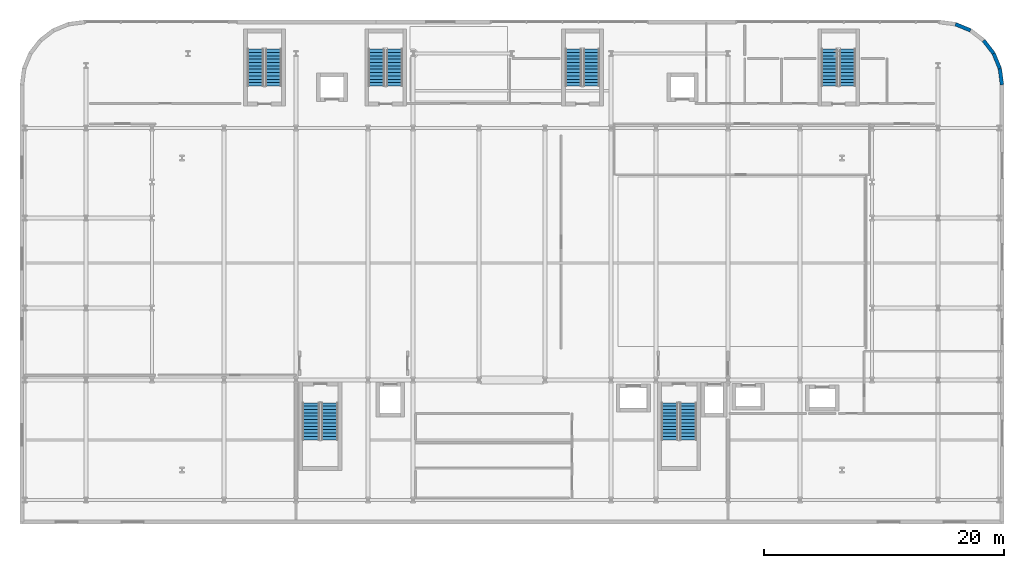
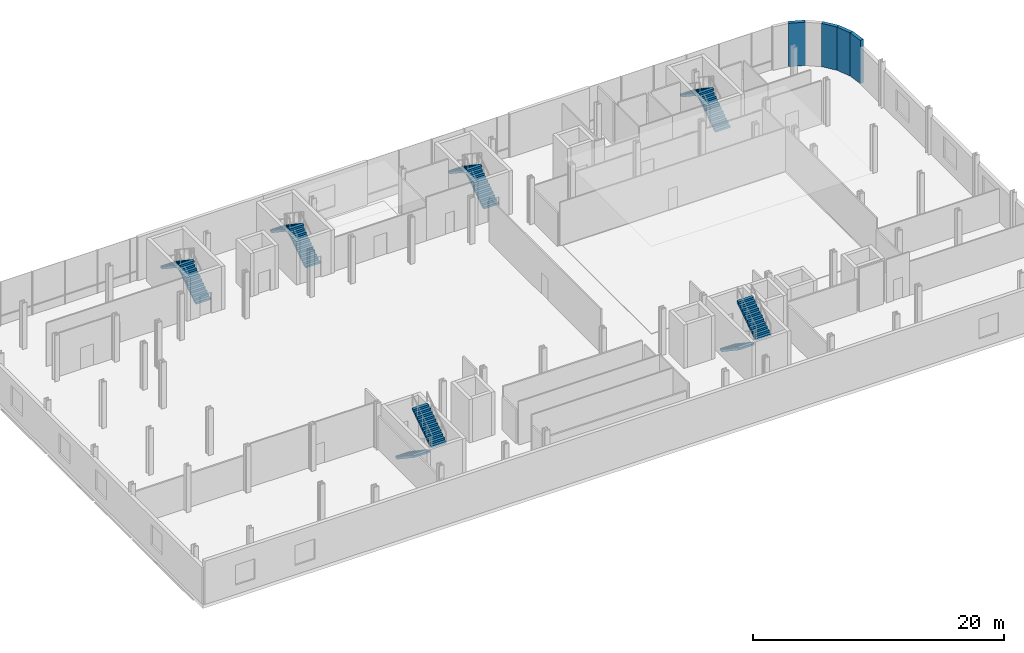
# One storey, part 21 of 25: 12 stair flights, 4 walls, 6 elements without a shape of their own.
"""IFC4 building model written with IfcOpenShell, lengths in metres."""

import ifcopenshell
import ifcopenshell.guid

model = None  # the IFC model being written
_history = None  # IfcOwnerHistory: only IFC2X3 demands one
_inside = {}  # id of a spatial element -> (the spatial element, [elements in it])
_under = {}  # id of a project, library or spatial element -> (it, [spatial elements below it])
_declared = {}  # id of a project -> (the project, [libraries it declares])
_typed = {}  # id of a type object -> (the type object, [elements of that type])
_made_of = {}  # id of a material, layer set ... -> (it, [elements and type objects made of it])


def new_model(schema):
    """Start an empty IFC model of exactly this schema.

    Asked for "IFC4X3", IfcOpenShell would pick the latest addendum, in which some entities
    have other attributes; the version numbers below select the first issue.
    IFC2X3 requires an IfcOwnerHistory on every rooted entity: one is made here for all.
    """
    global model, _history
    if schema == "IFC4X3":
        model = ifcopenshell.file(schema_version=(4, 3, 0, 0))
    else:
        model = ifcopenshell.file(schema=schema)
    _inside.clear()
    _under.clear()
    _declared.clear()
    _typed.clear()
    _made_of.clear()
    _history = None
    if model.schema == "IFC2X3":
        org = make("IfcOrganization", Name="unknown")
        user = make(
            "IfcPersonAndOrganization",
            ThePerson=make("IfcPerson", FamilyName="unknown"),
            TheOrganization=org,
        )
        app = make(
            "IfcApplication",
            ApplicationDeveloper=org,
            Version="unknown",
            ApplicationFullName="unknown",
            ApplicationIdentifier="unknown",
        )
        _history = make(
            "IfcOwnerHistory",
            OwningUser=user,
            OwningApplication=app,
            ChangeAction="ADDED",
            CreationDate=0,
        )
    return model


def make(cls, **values):
    """One entity of the class cls with the attributes given. An attribute that is None is left unset."""
    return model.create_entity(
        cls, **{name: value for name, value in values.items() if value is not None}
    )


def rooted(cls, **values):
    """An entity with a GlobalId (a new one), such as an element, a storey or a relation."""
    return make(cls, GlobalId=ifcopenshell.guid.new(), OwnerHistory=_history, **values)


def si_unit(unit_type, name, prefix=None):
    """IfcSIUnit, for example si_unit("LENGTHUNIT", "METRE", prefix="MILLI")."""
    return make("IfcSIUnit", UnitType=unit_type, Prefix=prefix, Name=name)


def assignment(units):
    """IfcUnitAssignment: the units of a project."""
    return None if units is None else make("IfcUnitAssignment", Units=units)


def point(xyz):
    """IfcCartesianPoint."""
    return None if xyz is None else make("IfcCartesianPoint", Coordinates=xyz)


def direction(xyz):
    """IfcDirection."""
    return None if xyz is None else make("IfcDirection", DirectionRatios=xyz)


def frame(location, z_axis=None, x_axis=None):
    """IfcAxis2Placement3D, a coordinate frame: its origin and axes. An axis left out is left unset."""
    return make(
        "IfcAxis2Placement3D",
        Location=point(location),
        Axis=direction(z_axis),
        RefDirection=direction(x_axis),
    )


def frame_2d(location, x_axis=None):
    """IfcAxis2Placement2D, a coordinate frame in the plane: its origin and x axis."""
    return make(
        "IfcAxis2Placement2D", Location=point(location), RefDirection=direction(x_axis)
    )


def origin():
    """The frame at (0, 0, 0) with its axes left unset."""
    return frame((0.0, 0.0, 0.0))


def place(relative_to, where):
    """IfcLocalPlacement: puts the frame where relative to a parent placement (None: the world)."""
    return make(
        "IfcLocalPlacement", PlacementRelTo=relative_to, RelativePlacement=where
    )


def context(
    kind, dimensions, precision=None, world=None, true_north=None, identifier=None
):
    """IfcGeometricRepresentationContext, for example the 3D "Model" context."""
    return make(
        "IfcGeometricRepresentationContext",
        ContextIdentifier=identifier,
        ContextType=kind,
        CoordinateSpaceDimension=dimensions,
        Precision=precision,
        WorldCoordinateSystem=world,
        TrueNorth=true_north,
    )


def subcontext(parent, identifier, kind, view, scale=None):
    """IfcGeometricRepresentationSubContext, for example "Body" below "Model"."""
    return make(
        "IfcGeometricRepresentationSubContext",
        ContextIdentifier=identifier,
        ContextType=kind,
        ParentContext=parent,
        TargetScale=scale,
        TargetView=view,
    )


def project(units=None, contexts=None):
    """IfcProject with its units and contexts."""
    return rooted(
        "IfcProject",
        Name="project",
        RepresentationContexts=contexts,
        UnitsInContext=assignment(units),
    )


def spatial(cls, under=None, at=None, **own):
    """A site, building, storey or space (cls), placed at a placement, below another one or the project."""
    s = rooted(cls, ObjectPlacement=at, **own)
    if under is not None:
        _under.setdefault(under.id(), (under, []))[1].append(s)
    return s


def polyline(points):
    """IfcPolyline through the points."""
    return make("IfcPolyline", Points=[point(p) for p in points])


def profile(cls, at=None, kind="AREA", **sizes):
    """A parametric profile (cls). Its sizes go by their IFC names, for example OverallWidth=200.0."""
    return make(cls, ProfileType=kind, Position=at, **sizes)


def rectangle(**sizes):
    """IfcRectangleProfileDef."""
    return profile("IfcRectangleProfileDef", **sizes)


def outline(outer, holes=None, kind="AREA"):
    """IfcArbitraryClosedProfileDef: a profile drawn as a closed curve; with holes, ...WithVoids."""
    if holes is None:
        return make("IfcArbitraryClosedProfileDef", ProfileType=kind, OuterCurve=outer)
    return make(
        "IfcArbitraryProfileDefWithVoids",
        ProfileType=kind,
        OuterCurve=outer,
        InnerCurves=holes,
    )


def extrude(swept, where, along, depth):
    """IfcExtrudedAreaSolid: the profile swept, set in the frame where, extruded along a direction by depth."""
    return make(
        "IfcExtrudedAreaSolid",
        SweptArea=swept,
        Position=where,
        ExtrudedDirection=direction(along),
        Depth=depth,
    )


def shape(context_of_items, identifier, shape_type, items):
    """IfcShapeRepresentation: the items that make up one representation, for example the "Body"."""
    return make(
        "IfcShapeRepresentation",
        ContextOfItems=context_of_items,
        RepresentationIdentifier=identifier,
        RepresentationType=shape_type,
        Items=items,
    )


def material(Name=None, Category=None):
    """IfcMaterial."""
    return make("IfcMaterial", Name=Name, Category=Category)


def layer(
    of_material, thickness, ventilated=None, Name=None, Category=None, Priority=None
):
    """IfcMaterialLayer: one layer of a wall or slab, of a material (None: an air gap)."""
    return make(
        "IfcMaterialLayer",
        Material=of_material,
        LayerThickness=thickness,
        IsVentilated=ventilated,
        Name=Name,
        Category=Category,
        Priority=Priority,
    )


def layer_set(layers, Name=None):
    """IfcMaterialLayerSet."""
    return make("IfcMaterialLayerSet", MaterialLayers=layers, LayerSetName=Name)


def made_of(thing, what):
    """Note that an element or type object is made of a material, layer set ...; save() writes the relation."""
    if what is not None:
        _made_of.setdefault(what.id(), (what, []))[1].append(thing)
    return thing


def type_object(cls, material=None, **own):
    """A type object (cls), such as IfcWallType, which elements share."""
    return made_of(rooted(cls, **own), material)


def element(
    cls,
    number,
    at=None,
    inside=None,
    cuts=None,
    type_object=None,
    material=None,
    context=None,
    identifier="Body",
    shape_type=None,
    held_by="IfcProductDefinitionShape",
    body=None,
    shapes=None,
    **own,
):
    """One element of the class cls, such as IfcWall. Its Tag is "e" and its number.

    at: its placement. inside: the storey or other place that contains it. cuts: it is an
    opening in that element (IfcRelVoidsElement). A single representation is given by context,
    identifier, shape_type and body (its items); several are given by shapes. held_by: the class
    of the entity that holds the representations. save() writes the other relations.
    """
    e = rooted(cls, Tag="e%d" % number, ObjectPlacement=at, **own)
    if body is not None:
        shapes = [shape(context, identifier, shape_type, body)]
    if shapes is not None:
        e.Representation = make(held_by, Representations=shapes)
    if inside is not None:
        _inside.setdefault(inside.id(), (inside, []))[1].append(e)
    if cuts is not None:
        rooted(
            "IfcRelVoidsElement", RelatingBuildingElement=cuts, RelatedOpeningElement=e
        )
    if type_object is not None:
        _typed.setdefault(type_object.id(), (type_object, []))[1].append(e)
    return made_of(e, material)


def aggregate(whole, parts):
    """IfcRelAggregates: a whole, such as a stair, and the parts it consists of."""
    return rooted("IfcRelAggregates", RelatingObject=whole, RelatedObjects=parts)


def save(model, path):
    """Write the relations noted so far, then the file.

    IfcRelAggregates (storeys below a building ...), IfcRelContainedInSpatialStructure (elements
    in a storey), IfcRelDefinesByType, IfcRelAssociatesMaterial and IfcRelDeclares: one each for
    every whole, place, type object, material and project.
    """
    for whole, parts in _under.values():
        aggregate(whole, parts)
    for where, things in _inside.values():
        rooted(
            "IfcRelContainedInSpatialStructure",
            RelatedElements=things,
            RelatingStructure=where,
        )
    for kind, things in _typed.values():
        rooted("IfcRelDefinesByType", RelatedObjects=things, RelatingType=kind)
    for what, things in _made_of.values():
        rooted("IfcRelAssociatesMaterial", RelatedObjects=things, RelatingMaterial=what)
    for by, libraries in _declared.values():
        rooted("IfcRelDeclares", RelatingContext=by, RelatedDefinitions=libraries)
    model.write(path)


model = new_model("IFC4")

# Units and contexts
model_context = context("Model", 3, precision=1e-05, world=origin(), true_north=direction((0.0, 1.0)))
body_context = subcontext(model_context, "Body", "Model", "MODEL_VIEW")
ifc_project = project(units=[si_unit("LENGTHUNIT", "METRE"), si_unit("AREAUNIT", "SQUARE_METRE"), si_unit("VOLUMEUNIT", "CUBIC_METRE"), si_unit("PLANEANGLEUNIT", "RADIAN"), si_unit("MASSUNIT", "GRAM", prefix="KILO")], contexts=[model_context])

# Site, building, storey
site_placement = place(None, origin())
site = spatial("IfcSite", under=ifc_project, at=site_placement, CompositionType="ELEMENT")
building_placement = place(site_placement, origin())
building = spatial("IfcBuilding", under=site, at=building_placement, Name="Brevholm Reach", CompositionType="ELEMENT")
storey_placement = place(building_placement, frame((0.0, 0.0, 4.5)))
storey = spatial("IfcBuildingStorey", under=building, at=storey_placement, Name="L01", CompositionType="ELEMENT", Elevation=4.5)

# Walls
ifc_material_1 = material(Name="Concrete C40/50", Category="concrete")
ifc_layer_1 = layer(ifc_material_1, 0.300048828125)
ifc_layer_set_1 = layer_set([ifc_layer_1], Name="Concrete C40/50")
wall_type = type_object("IfcWallType", Name="WAL-EXT-300", PredefinedType="STANDARD", material=ifc_layer_set_1)
wall_1_placement = place(storey_placement, frame((66.95361328125, 39.65185546875, 0.0), z_axis=(0.0, 0.0, 1.0), x_axis=(0.923894797396, -0.382646577594, 0.0)))
element("IfcWall", 1, at=wall_1_placement, inside=storey, type_object=wall_type, Name="L01 Facade Wall WAL-L01-NEP-2", PredefinedType="STANDARD", context=body_context, shape_type="SweptSolid", body=[
    extrude(rectangle(XDim=1.365478515625, YDim=0.300048828125, at=frame_2d((0.6826171875, 0.0))), origin(), (0.0, 0.0, 1.0), 4.219970703125),
])
wall_2_placement = place(storey_placement, frame((69.298095703125, 38.298095703125, 0.0), z_axis=(0.0, 0.0, 1.0), x_axis=(0.6088894473, -0.793255091989, 0.0)))
element("IfcWall", 2, at=wall_2_placement, inside=storey, type_object=wall_type, Name="L01 Facade Wall WAL-L01-NEP-4", PredefinedType="STANDARD", context=body_context, shape_type="SweptSolid", body=[
    extrude(rectangle(XDim=1.365234375, YDim=0.300048828125, at=frame_2d((0.6826171875, 0.0))), origin(), (0.0, 0.0, 1.0), 4.219970703125),
])
wall_3_placement = place(storey_placement, frame((70.12939453125, 37.215087890625, 0.0), z_axis=(0.0, 0.0, 1.0), x_axis=(0.382646577594, -0.923894797396, 0.0)))
element("IfcWall", 3, at=wall_3_placement, inside=storey, type_object=wall_type, Name="L01 Facade Wall WAL-L01-NEP-5", PredefinedType="STANDARD", context=body_context, shape_type="SweptSolid", body=[
    extrude(rectangle(XDim=1.365478515625, YDim=0.300048828125, at=frame_2d((0.6826171875, 0.0))), origin(), (0.0, 0.0, 1.0), 4.219970703125),
])
wall_4_placement = place(storey_placement, frame((70.65185546875, 35.95361328125, 0.0), z_axis=(0.0, 0.0, 1.0), x_axis=(0.13054703207, -0.991442117533, 0.0)))
element("IfcWall", 4, at=wall_4_placement, inside=storey, type_object=wall_type, Name="L01 Facade Wall WAL-L01-NEP-6", PredefinedType="STANDARD", context=body_context, shape_type="SweptSolid", body=[
    extrude(rectangle(XDim=1.365234375, YDim=0.300048828125, at=frame_2d((0.6826171875, 0.0))), origin(), (0.0, 0.0, 1.0), 4.219970703125),
])

# Stair, stair flights
ifc_material_2 = material(Name="Precast Concrete C40/50", Category="concrete")
stair_type_1 = type_object("IfcStairType", Name="STR-ESC-1250", PredefinedType="DOUBLE_RETURN_STAIR", material=ifc_material_2)
stair_1_placement = place(storey_placement, origin())
stair_1 = element("IfcStair", 5, at=stair_1_placement, inside=storey, type_object=stair_type_1, Name="L01 ST-S1", PredefinedType="DOUBLE_RETURN_STAIR")
ifc_material_3 = material(Name="Precast Concrete C40/50", Category="concrete")
ifc_layer_2 = layer(ifc_material_3, 0.1650390625)
ifc_layer_set_2 = layer_set([ifc_layer_2], Name="Precast Concrete C40/50")
stair_flight_type_1 = type_object("IfcStairFlightType", Name="STF-PRC-165", PredefinedType="STRAIGHT", material=ifc_layer_set_2)
stair_flight_1_placement = place(storey_placement, frame((10.125, 34.5, 0.0), z_axis=(0.0, 0.0, 1.0), x_axis=(0.0, 1.0, 0.0)))
stair_flight_1 = element("IfcStairFlight", 6, at=stair_flight_1_placement, type_object=stair_flight_type_1, Name="ST-S1 flight 1", NumberOfRisers=12, NumberOfTreads=11, PredefinedType="STRAIGHT", RiserHeight=0.1875, TreadLength=0.28, context=body_context, shape_type="SweptSolid", body=[
    extrude(outline(polyline([(0.0, 0.0), (0.0, 0.1875), (0.280029296875, 0.1875), (0.280029296875, 0.375), (0.56005859375, 0.375), (0.56005859375, 0.5625), (0.840087890625, 0.5625), (0.840087890625, 0.75), (1.1201171875, 0.75), (1.1201171875, 0.9375), (1.39990234375, 0.9375), (1.39990234375, 1.125), (1.679931640625, 1.125), (1.679931640625, 1.3125), (1.9599609375, 1.3125), (1.9599609375, 1.5), (2.239990234375, 1.5), (2.239990234375, 1.6875), (2.52001953125, 1.6875), (2.52001953125, 1.875), (2.800048828125, 1.875), (2.800048828125, 2.0625), (3.080078125, 2.0625), (3.080078125, 2.25), (3.080078125, 1.882080078125), (0.26953125, 0.0), (0.0, 0.0)])), frame((0.0, 0.675048828125, 0.0), z_axis=(0.0, -1.0, 0.0), x_axis=(1.0, 0.0, 0.0)), (0.0, 0.0, 1.0), 1.35009765625),
])
stair_flight_2_placement = place(storey_placement, frame((8.625, 37.580078125, 2.25), z_axis=(0.0, 0.0, 1.0), x_axis=(0.0, -1.0, 0.0)))
stair_flight_2 = element("IfcStairFlight", 7, at=stair_flight_2_placement, type_object=stair_flight_type_1, Name="ST-S1 flight 2", NumberOfRisers=12, NumberOfTreads=11, PredefinedType="STRAIGHT", RiserHeight=0.1875, TreadLength=0.28, context=body_context, shape_type="SweptSolid", body=[
    extrude(outline(polyline([(0.0, 0.0), (0.0, 0.1875), (0.280029296875, 0.1875), (0.280029296875, 0.375), (0.56005859375, 0.375), (0.56005859375, 0.5625), (0.840087890625, 0.5625), (0.840087890625, 0.75), (1.1201171875, 0.75), (1.1201171875, 0.9375), (1.39990234375, 0.9375), (1.39990234375, 1.125), (1.679931640625, 1.125), (1.679931640625, 1.3125), (1.9599609375, 1.3125), (1.9599609375, 1.5), (2.239990234375, 1.5), (2.239990234375, 1.6875), (2.52001953125, 1.6875), (2.52001953125, 1.875), (2.800048828125, 1.875), (2.800048828125, 2.0625), (3.080078125, 2.0625), (3.080078125, 2.25), (3.080078125, 1.882080078125), (0.26953125, 0.0), (0.0, 0.0)])), frame((0.0, 0.675048828125, 0.0), z_axis=(0.0, -1.0, 0.0), x_axis=(1.0, 0.0, 0.0)), (0.0, 0.0, 1.0), 1.35009765625),
])
aggregate(stair_1, [stair_flight_1, stair_flight_2])

stair_2_placement = place(storey_placement, origin())
stair_2 = element("IfcStair", 8, at=stair_2_placement, inside=storey, type_object=stair_type_1, Name="L01 ST-S2", PredefinedType="DOUBLE_RETURN_STAIR")
stair_flight_3_placement = place(storey_placement, frame((20.22509765625, 34.5, 0.0), z_axis=(0.0, 0.0, 1.0), x_axis=(0.0, 1.0, 0.0)))
stair_flight_3 = element("IfcStairFlight", 9, at=stair_flight_3_placement, type_object=stair_flight_type_1, Name="ST-S2 flight 1", NumberOfRisers=12, NumberOfTreads=11, PredefinedType="STRAIGHT", RiserHeight=0.1875, TreadLength=0.28, context=body_context, shape_type="SweptSolid", body=[
    extrude(outline(polyline([(0.0, 0.0), (0.0, 0.1875), (0.280029296875, 0.1875), (0.280029296875, 0.375), (0.56005859375, 0.375), (0.56005859375, 0.5625), (0.840087890625, 0.5625), (0.840087890625, 0.75), (1.1201171875, 0.75), (1.1201171875, 0.9375), (1.39990234375, 0.9375), (1.39990234375, 1.125), (1.679931640625, 1.125), (1.679931640625, 1.3125), (1.9599609375, 1.3125), (1.9599609375, 1.5), (2.239990234375, 1.5), (2.239990234375, 1.6875), (2.52001953125, 1.6875), (2.52001953125, 1.875), (2.800048828125, 1.875), (2.800048828125, 2.0625), (3.080078125, 2.0625), (3.080078125, 2.25), (3.080078125, 1.882080078125), (0.26953125, 0.0), (0.0, 0.0)])), frame((0.0, 0.675048828125, 0.0), z_axis=(0.0, -1.0, 0.0), x_axis=(1.0, 0.0, 0.0)), (0.0, 0.0, 1.0), 1.35009765625),
])
stair_flight_4_placement = place(storey_placement, frame((18.72509765625, 37.580078125, 2.25), z_axis=(0.0, 0.0, 1.0), x_axis=(0.0, -1.0, 0.0)))
stair_flight_4 = element("IfcStairFlight", 10, at=stair_flight_4_placement, type_object=stair_flight_type_1, Name="ST-S2 flight 2", NumberOfRisers=12, NumberOfTreads=11, PredefinedType="STRAIGHT", RiserHeight=0.1875, TreadLength=0.28, context=body_context, shape_type="SweptSolid", body=[
    extrude(outline(polyline([(0.0, 0.0), (0.0, 0.1875), (0.280029296875, 0.1875), (0.280029296875, 0.375), (0.56005859375, 0.375), (0.56005859375, 0.5625), (0.840087890625, 0.5625), (0.840087890625, 0.75), (1.1201171875, 0.75), (1.1201171875, 0.9375), (1.39990234375, 0.9375), (1.39990234375, 1.125), (1.679931640625, 1.125), (1.679931640625, 1.3125), (1.9599609375, 1.3125), (1.9599609375, 1.5), (2.239990234375, 1.5), (2.239990234375, 1.6875), (2.52001953125, 1.6875), (2.52001953125, 1.875), (2.800048828125, 1.875), (2.800048828125, 2.0625), (3.080078125, 2.0625), (3.080078125, 2.25), (3.080078125, 1.882080078125), (0.26953125, 0.0), (0.0, 0.0)])), frame((0.0, 0.675048828125, 0.0), z_axis=(0.0, -1.0, 0.0), x_axis=(1.0, 0.0, 0.0)), (0.0, 0.0, 1.0), 1.35009765625),
])
aggregate(stair_2, [stair_flight_3, stair_flight_4])

stair_3_placement = place(storey_placement, origin())
stair_3 = element("IfcStair", 11, at=stair_3_placement, inside=storey, type_object=stair_type_1, Name="L01 ST-S3", PredefinedType="DOUBLE_RETURN_STAIR")
stair_flight_5_placement = place(storey_placement, frame((36.625, 34.5, 0.0), z_axis=(0.0, 0.0, 1.0), x_axis=(0.0, 1.0, 0.0)))
stair_flight_5 = element("IfcStairFlight", 12, at=stair_flight_5_placement, type_object=stair_flight_type_1, Name="ST-S3 flight 1", NumberOfRisers=12, NumberOfTreads=11, PredefinedType="STRAIGHT", RiserHeight=0.1875, TreadLength=0.28, context=body_context, shape_type="SweptSolid", body=[
    extrude(outline(polyline([(0.0, 0.0), (0.0, 0.1875), (0.280029296875, 0.1875), (0.280029296875, 0.375), (0.56005859375, 0.375), (0.56005859375, 0.5625), (0.840087890625, 0.5625), (0.840087890625, 0.75), (1.1201171875, 0.75), (1.1201171875, 0.9375), (1.39990234375, 0.9375), (1.39990234375, 1.125), (1.679931640625, 1.125), (1.679931640625, 1.3125), (1.9599609375, 1.3125), (1.9599609375, 1.5), (2.239990234375, 1.5), (2.239990234375, 1.6875), (2.52001953125, 1.6875), (2.52001953125, 1.875), (2.800048828125, 1.875), (2.800048828125, 2.0625), (3.080078125, 2.0625), (3.080078125, 2.25), (3.080078125, 1.882080078125), (0.26953125, 0.0), (0.0, 0.0)])), frame((0.0, 0.675048828125, 0.0), z_axis=(0.0, -1.0, 0.0), x_axis=(1.0, 0.0, 0.0)), (0.0, 0.0, 1.0), 1.35009765625),
])
stair_flight_6_placement = place(storey_placement, frame((35.125, 37.580078125, 2.25), z_axis=(0.0, 0.0, 1.0), x_axis=(0.0, -1.0, 0.0)))
stair_flight_6 = element("IfcStairFlight", 13, at=stair_flight_6_placement, type_object=stair_flight_type_1, Name="ST-S3 flight 2", NumberOfRisers=12, NumberOfTreads=11, PredefinedType="STRAIGHT", RiserHeight=0.1875, TreadLength=0.28, context=body_context, shape_type="SweptSolid", body=[
    extrude(outline(polyline([(0.0, 0.0), (0.0, 0.1875), (0.280029296875, 0.1875), (0.280029296875, 0.375), (0.56005859375, 0.375), (0.56005859375, 0.5625), (0.840087890625, 0.5625), (0.840087890625, 0.75), (1.1201171875, 0.75), (1.1201171875, 0.9375), (1.39990234375, 0.9375), (1.39990234375, 1.125), (1.679931640625, 1.125), (1.679931640625, 1.3125), (1.9599609375, 1.3125), (1.9599609375, 1.5), (2.239990234375, 1.5), (2.239990234375, 1.6875), (2.52001953125, 1.6875), (2.52001953125, 1.875), (2.800048828125, 1.875), (2.800048828125, 2.0625), (3.080078125, 2.0625), (3.080078125, 2.25), (3.080078125, 1.882080078125), (0.26953125, 0.0), (0.0, 0.0)])), frame((0.0, 0.675048828125, 0.0), z_axis=(0.0, -1.0, 0.0), x_axis=(1.0, 0.0, 0.0)), (0.0, 0.0, 1.0), 1.35009765625),
])
aggregate(stair_3, [stair_flight_5, stair_flight_6])

stair_4_placement = place(storey_placement, origin())
stair_4 = element("IfcStair", 14, at=stair_4_placement, inside=storey, type_object=stair_type_1, Name="L01 ST-S4", PredefinedType="DOUBLE_RETURN_STAIR")
stair_flight_7_placement = place(storey_placement, frame((57.97509765625, 34.5, 0.0), z_axis=(0.0, 0.0, 1.0), x_axis=(0.0, 1.0, 0.0)))
stair_flight_7 = element("IfcStairFlight", 15, at=stair_flight_7_placement, type_object=stair_flight_type_1, Name="ST-S4 flight 1", NumberOfRisers=12, NumberOfTreads=11, PredefinedType="STRAIGHT", RiserHeight=0.1875, TreadLength=0.28, context=body_context, shape_type="SweptSolid", body=[
    extrude(outline(polyline([(0.0, 0.0), (0.0, 0.1875), (0.280029296875, 0.1875), (0.280029296875, 0.375), (0.56005859375, 0.375), (0.56005859375, 0.5625), (0.840087890625, 0.5625), (0.840087890625, 0.75), (1.1201171875, 0.75), (1.1201171875, 0.9375), (1.39990234375, 0.9375), (1.39990234375, 1.125), (1.679931640625, 1.125), (1.679931640625, 1.3125), (1.9599609375, 1.3125), (1.9599609375, 1.5), (2.239990234375, 1.5), (2.239990234375, 1.6875), (2.52001953125, 1.6875), (2.52001953125, 1.875), (2.800048828125, 1.875), (2.800048828125, 2.0625), (3.080078125, 2.0625), (3.080078125, 2.25), (3.080078125, 1.882080078125), (0.26953125, 0.0), (0.0, 0.0)])), frame((0.0, 0.675048828125, 0.0), z_axis=(0.0, -1.0, 0.0), x_axis=(1.0, 0.0, 0.0)), (0.0, 0.0, 1.0), 1.35009765625),
])
stair_flight_8_placement = place(storey_placement, frame((56.47509765625, 37.580078125, 2.25), z_axis=(0.0, 0.0, 1.0), x_axis=(0.0, -1.0, 0.0)))
stair_flight_8 = element("IfcStairFlight", 16, at=stair_flight_8_placement, type_object=stair_flight_type_1, Name="ST-S4 flight 2", NumberOfRisers=12, NumberOfTreads=11, PredefinedType="STRAIGHT", RiserHeight=0.1875, TreadLength=0.28, context=body_context, shape_type="SweptSolid", body=[
    extrude(outline(polyline([(0.0, 0.0), (0.0, 0.1875), (0.280029296875, 0.1875), (0.280029296875, 0.375), (0.56005859375, 0.375), (0.56005859375, 0.5625), (0.840087890625, 0.5625), (0.840087890625, 0.75), (1.1201171875, 0.75), (1.1201171875, 0.9375), (1.39990234375, 0.9375), (1.39990234375, 1.125), (1.679931640625, 1.125), (1.679931640625, 1.3125), (1.9599609375, 1.3125), (1.9599609375, 1.5), (2.239990234375, 1.5), (2.239990234375, 1.6875), (2.52001953125, 1.6875), (2.52001953125, 1.875), (2.800048828125, 1.875), (2.800048828125, 2.0625), (3.080078125, 2.0625), (3.080078125, 2.25), (3.080078125, 1.882080078125), (0.26953125, 0.0), (0.0, 0.0)])), frame((0.0, 0.675048828125, 0.0), z_axis=(0.0, -1.0, 0.0), x_axis=(1.0, 0.0, 0.0)), (0.0, 0.0, 1.0), 1.35009765625),
])
aggregate(stair_4, [stair_flight_7, stair_flight_8])

ifc_material_4 = material(Name="Precast Concrete C40/50", Category="concrete")
stair_type_2 = type_object("IfcStairType", Name="STR-ESC-1400", PredefinedType="DOUBLE_RETURN_STAIR", material=ifc_material_4)
stair_5_placement = place(storey_placement, origin())
stair_5 = element("IfcStair", 17, at=stair_5_placement, inside=storey, type_object=stair_type_2, Name="L01 ST-1", PredefinedType="DOUBLE_RETURN_STAIR")
ifc_material_5 = material(Name="Precast Concrete C40/50", Category="concrete")
ifc_layer_3 = layer(ifc_material_5, 0.18505859375)
ifc_layer_set_3 = layer_set([ifc_layer_3], Name="Precast Concrete C40/50")
stair_flight_type_2 = type_object("IfcStairFlightType", Name="STF-PRC-185", PredefinedType="STRAIGHT", material=ifc_layer_set_3)
stair_flight_9_placement = place(storey_placement, frame((13.25, 8.10009765625, 0.0), z_axis=(0.0, 0.0, 1.0), x_axis=(0.0, -1.0, 0.0)))
stair_flight_9 = element("IfcStairFlight", 18, at=stair_flight_9_placement, type_object=stair_flight_type_2, Name="ST-1 flight 1", NumberOfRisers=12, NumberOfTreads=11, PredefinedType="STRAIGHT", RiserHeight=0.1875, TreadLength=0.28, context=body_context, shape_type="SweptSolid", body=[
    extrude(outline(polyline([(0.0, 0.0), (0.0, 0.1875), (0.280029296875, 0.1875), (0.280029296875, 0.375), (0.56005859375, 0.375), (0.56005859375, 0.5625), (0.840087890625, 0.5625), (0.840087890625, 0.75), (1.1201171875, 0.75), (1.1201171875, 0.9375), (1.39990234375, 0.9375), (1.39990234375, 1.125), (1.679931640625, 1.125), (1.679931640625, 1.3125), (1.9599609375, 1.3125), (1.9599609375, 1.5), (2.239990234375, 1.5), (2.239990234375, 1.6875), (2.52001953125, 1.6875), (2.52001953125, 1.875), (2.800048828125, 1.875), (2.800048828125, 2.0625), (3.080078125, 2.0625), (3.080078125, 2.25), (3.080078125, 1.882080078125), (0.26953125, 0.0), (0.0, 0.0)])), frame((0.0, 0.699951171875, 0.0), z_axis=(0.0, -1.0, 0.0), x_axis=(1.0, 0.0, 0.0)), (0.0, 0.0, 1.0), 1.39990234375),
])
stair_flight_10_placement = place(storey_placement, frame((14.800048828125, 5.02001953125, 2.25), z_axis=(0.0, 0.0, 1.0), x_axis=(0.0, 1.0, 0.0)))
stair_flight_10 = element("IfcStairFlight", 19, at=stair_flight_10_placement, type_object=stair_flight_type_2, Name="ST-1 flight 2", NumberOfRisers=12, NumberOfTreads=11, PredefinedType="STRAIGHT", RiserHeight=0.1875, TreadLength=0.28, context=body_context, shape_type="SweptSolid", body=[
    extrude(outline(polyline([(0.0, 0.0), (0.0, 0.1875), (0.280029296875, 0.1875), (0.280029296875, 0.375), (0.56005859375, 0.375), (0.56005859375, 0.5625), (0.840087890625, 0.5625), (0.840087890625, 0.75), (1.1201171875, 0.75), (1.1201171875, 0.9375), (1.39990234375, 0.9375), (1.39990234375, 1.125), (1.679931640625, 1.125), (1.679931640625, 1.3125), (1.9599609375, 1.3125), (1.9599609375, 1.5), (2.239990234375, 1.5), (2.239990234375, 1.6875), (2.52001953125, 1.6875), (2.52001953125, 1.875), (2.800048828125, 1.875), (2.800048828125, 2.0625), (3.080078125, 2.0625), (3.080078125, 2.25), (3.080078125, 1.882080078125), (0.26953125, 0.0), (0.0, 0.0)])), frame((0.0, 0.699951171875, 0.0), z_axis=(0.0, -1.0, 0.0), x_axis=(1.0, 0.0, 0.0)), (0.0, 0.0, 1.0), 1.39990234375),
])
aggregate(stair_5, [stair_flight_9, stair_flight_10])

stair_6_placement = place(storey_placement, origin())
stair_6 = element("IfcStair", 20, at=stair_6_placement, inside=storey, type_object=stair_type_2, Name="L01 ST-2", PredefinedType="DOUBLE_RETURN_STAIR")
stair_flight_11_placement = place(storey_placement, frame((43.14990234375, 8.10009765625, 0.0), z_axis=(0.0, 0.0, 1.0), x_axis=(0.0, -1.0, 0.0)))
stair_flight_11 = element("IfcStairFlight", 21, at=stair_flight_11_placement, type_object=stair_flight_type_2, Name="ST-2 flight 1", NumberOfRisers=12, NumberOfTreads=11, PredefinedType="STRAIGHT", RiserHeight=0.1875, TreadLength=0.28, context=body_context, shape_type="SweptSolid", body=[
    extrude(outline(polyline([(0.0, 0.0), (0.0, 0.1875), (0.280029296875, 0.1875), (0.280029296875, 0.375), (0.56005859375, 0.375), (0.56005859375, 0.5625), (0.840087890625, 0.5625), (0.840087890625, 0.75), (1.1201171875, 0.75), (1.1201171875, 0.9375), (1.39990234375, 0.9375), (1.39990234375, 1.125), (1.679931640625, 1.125), (1.679931640625, 1.3125), (1.9599609375, 1.3125), (1.9599609375, 1.5), (2.239990234375, 1.5), (2.239990234375, 1.6875), (2.52001953125, 1.6875), (2.52001953125, 1.875), (2.800048828125, 1.875), (2.800048828125, 2.0625), (3.080078125, 2.0625), (3.080078125, 2.25), (3.080078125, 1.882080078125), (0.26953125, 0.0), (0.0, 0.0)])), frame((0.0, 0.699951171875, 0.0), z_axis=(0.0, -1.0, 0.0), x_axis=(1.0, 0.0, 0.0)), (0.0, 0.0, 1.0), 1.39990234375),
])
stair_flight_12_placement = place(storey_placement, frame((44.699951171875, 5.02001953125, 2.25), z_axis=(0.0, 0.0, 1.0), x_axis=(0.0, 1.0, 0.0)))
stair_flight_12 = element("IfcStairFlight", 22, at=stair_flight_12_placement, type_object=stair_flight_type_2, Name="ST-2 flight 2", NumberOfRisers=12, NumberOfTreads=11, PredefinedType="STRAIGHT", RiserHeight=0.1875, TreadLength=0.28, context=body_context, shape_type="SweptSolid", body=[
    extrude(outline(polyline([(0.0, 0.0), (0.0, 0.1875), (0.280029296875, 0.1875), (0.280029296875, 0.375), (0.56005859375, 0.375), (0.56005859375, 0.5625), (0.840087890625, 0.5625), (0.840087890625, 0.75), (1.1201171875, 0.75), (1.1201171875, 0.9375), (1.39990234375, 0.9375), (1.39990234375, 1.125), (1.679931640625, 1.125), (1.679931640625, 1.3125), (1.9599609375, 1.3125), (1.9599609375, 1.5), (2.239990234375, 1.5), (2.239990234375, 1.6875), (2.52001953125, 1.6875), (2.52001953125, 1.875), (2.800048828125, 1.875), (2.800048828125, 2.0625), (3.080078125, 2.0625), (3.080078125, 2.25), (3.080078125, 1.882080078125), (0.26953125, 0.0), (0.0, 0.0)])), frame((0.0, 0.699951171875, 0.0), z_axis=(0.0, -1.0, 0.0), x_axis=(1.0, 0.0, 0.0)), (0.0, 0.0, 1.0), 1.39990234375),
])
aggregate(stair_6, [stair_flight_11, stair_flight_12])

save(model, "model.ifc")
